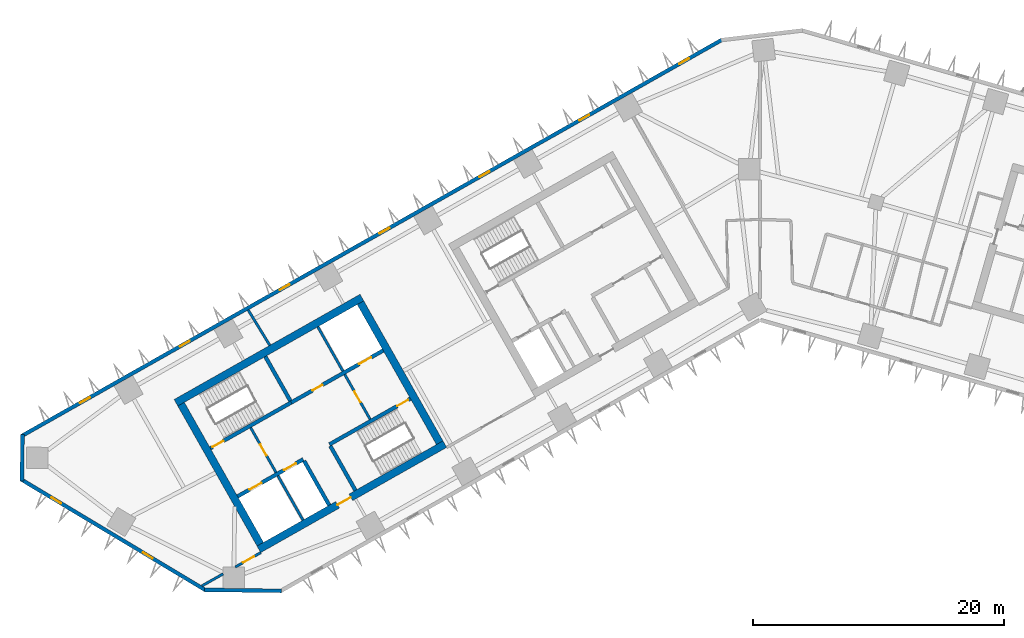
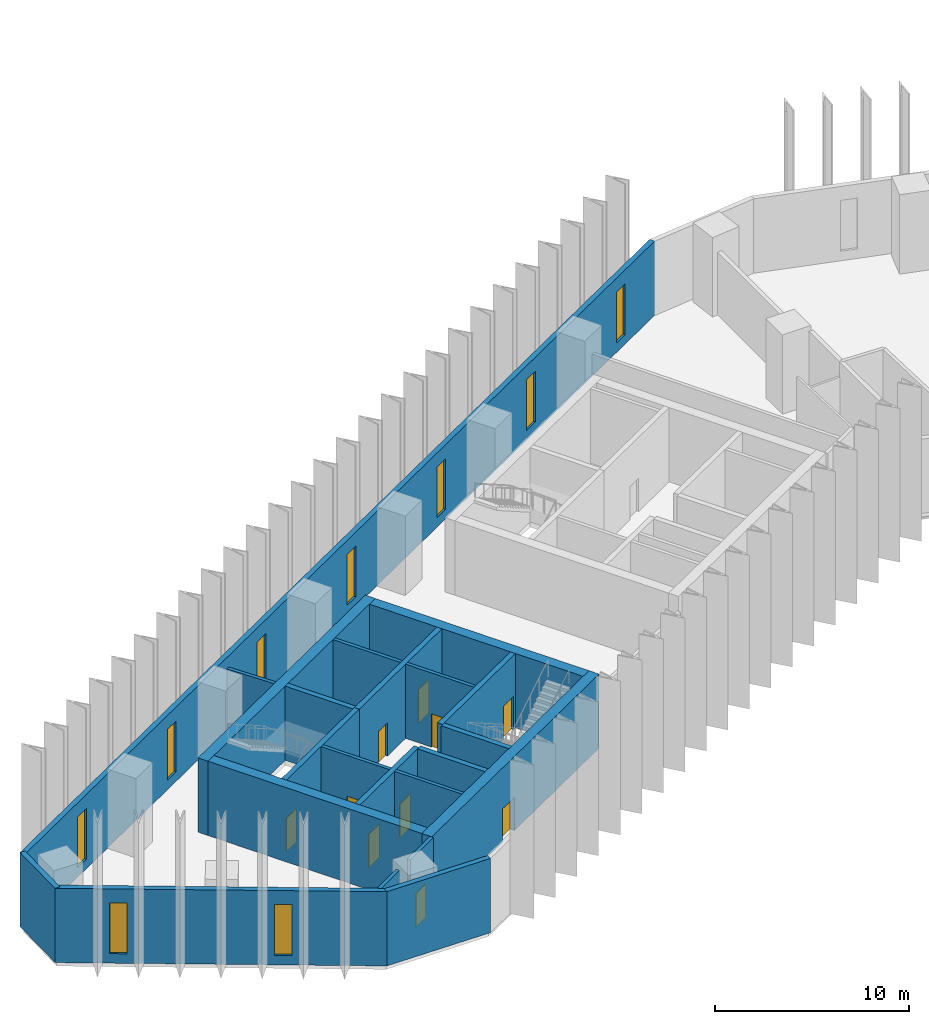
# One storey, part 3 of 11: 22 walls, 10 doors, 9 windows, 19 openings.
"""IFC4 building model written with IfcOpenShell, lengths in metres."""

import ifcopenshell
import ifcopenshell.guid

model = None  # the IFC model being written
_history = None  # IfcOwnerHistory: only IFC2X3 demands one
_inside = {}  # id of a spatial element -> (the spatial element, [elements in it])
_under = {}  # id of a project, library or spatial element -> (it, [spatial elements below it])
_declared = {}  # id of a project -> (the project, [libraries it declares])
_typed = {}  # id of a type object -> (the type object, [elements of that type])
_made_of = {}  # id of a material, layer set ... -> (it, [elements and type objects made of it])


def new_model(schema):
    """Start an empty IFC model of exactly this schema.

    Asked for "IFC4X3", IfcOpenShell would pick the latest addendum, in which some entities
    have other attributes; the version numbers below select the first issue.
    IFC2X3 requires an IfcOwnerHistory on every rooted entity: one is made here for all.
    """
    global model, _history
    if schema == "IFC4X3":
        model = ifcopenshell.file(schema_version=(4, 3, 0, 0))
    else:
        model = ifcopenshell.file(schema=schema)
    _inside.clear()
    _under.clear()
    _declared.clear()
    _typed.clear()
    _made_of.clear()
    _history = None
    if model.schema == "IFC2X3":
        org = make("IfcOrganization", Name="unknown")
        user = make(
            "IfcPersonAndOrganization",
            ThePerson=make("IfcPerson", FamilyName="unknown"),
            TheOrganization=org,
        )
        app = make(
            "IfcApplication",
            ApplicationDeveloper=org,
            Version="unknown",
            ApplicationFullName="unknown",
            ApplicationIdentifier="unknown",
        )
        _history = make(
            "IfcOwnerHistory",
            OwningUser=user,
            OwningApplication=app,
            ChangeAction="ADDED",
            CreationDate=0,
        )
    return model


def make(cls, **values):
    """One entity of the class cls with the attributes given. An attribute that is None is left unset."""
    return model.create_entity(
        cls, **{name: value for name, value in values.items() if value is not None}
    )


def rooted(cls, **values):
    """An entity with a GlobalId (a new one), such as an element, a storey or a relation."""
    return make(cls, GlobalId=ifcopenshell.guid.new(), OwnerHistory=_history, **values)


def si_unit(unit_type, name, prefix=None):
    """IfcSIUnit, for example si_unit("LENGTHUNIT", "METRE", prefix="MILLI")."""
    return make("IfcSIUnit", UnitType=unit_type, Prefix=prefix, Name=name)


def assignment(units):
    """IfcUnitAssignment: the units of a project."""
    return None if units is None else make("IfcUnitAssignment", Units=units)


def point(xyz):
    """IfcCartesianPoint."""
    return None if xyz is None else make("IfcCartesianPoint", Coordinates=xyz)


def direction(xyz):
    """IfcDirection."""
    return None if xyz is None else make("IfcDirection", DirectionRatios=xyz)


def frame(location, z_axis=None, x_axis=None):
    """IfcAxis2Placement3D, a coordinate frame: its origin and axes. An axis left out is left unset."""
    return make(
        "IfcAxis2Placement3D",
        Location=point(location),
        Axis=direction(z_axis),
        RefDirection=direction(x_axis),
    )


def frame_2d(location, x_axis=None):
    """IfcAxis2Placement2D, a coordinate frame in the plane: its origin and x axis."""
    return make(
        "IfcAxis2Placement2D", Location=point(location), RefDirection=direction(x_axis)
    )


def origin():
    """The frame at (0, 0, 0) with its axes left unset."""
    return frame((0.0, 0.0, 0.0))


def place(relative_to, where):
    """IfcLocalPlacement: puts the frame where relative to a parent placement (None: the world)."""
    return make(
        "IfcLocalPlacement", PlacementRelTo=relative_to, RelativePlacement=where
    )


def context(
    kind, dimensions, precision=None, world=None, true_north=None, identifier=None
):
    """IfcGeometricRepresentationContext, for example the 3D "Model" context."""
    return make(
        "IfcGeometricRepresentationContext",
        ContextIdentifier=identifier,
        ContextType=kind,
        CoordinateSpaceDimension=dimensions,
        Precision=precision,
        WorldCoordinateSystem=world,
        TrueNorth=true_north,
    )


def subcontext(parent, identifier, kind, view, scale=None):
    """IfcGeometricRepresentationSubContext, for example "Body" below "Model"."""
    return make(
        "IfcGeometricRepresentationSubContext",
        ContextIdentifier=identifier,
        ContextType=kind,
        ParentContext=parent,
        TargetScale=scale,
        TargetView=view,
    )


def project(units=None, contexts=None):
    """IfcProject with its units and contexts."""
    return rooted(
        "IfcProject",
        Name="project",
        RepresentationContexts=contexts,
        UnitsInContext=assignment(units),
    )


def spatial(cls, under=None, at=None, **own):
    """A site, building, storey or space (cls), placed at a placement, below another one or the project."""
    s = rooted(cls, ObjectPlacement=at, **own)
    if under is not None:
        _under.setdefault(under.id(), (under, []))[1].append(s)
    return s


def profile(cls, at=None, kind="AREA", **sizes):
    """A parametric profile (cls). Its sizes go by their IFC names, for example OverallWidth=200.0."""
    return make(cls, ProfileType=kind, Position=at, **sizes)


def rectangle(**sizes):
    """IfcRectangleProfileDef."""
    return profile("IfcRectangleProfileDef", **sizes)


def extrude(swept, where, along, depth):
    """IfcExtrudedAreaSolid: the profile swept, set in the frame where, extruded along a direction by depth."""
    return make(
        "IfcExtrudedAreaSolid",
        SweptArea=swept,
        Position=where,
        ExtrudedDirection=direction(along),
        Depth=depth,
    )


def shape(context_of_items, identifier, shape_type, items):
    """IfcShapeRepresentation: the items that make up one representation, for example the "Body"."""
    return make(
        "IfcShapeRepresentation",
        ContextOfItems=context_of_items,
        RepresentationIdentifier=identifier,
        RepresentationType=shape_type,
        Items=items,
    )


def material(Name=None, Category=None):
    """IfcMaterial."""
    return make("IfcMaterial", Name=Name, Category=Category)


def layer(
    of_material, thickness, ventilated=None, Name=None, Category=None, Priority=None
):
    """IfcMaterialLayer: one layer of a wall or slab, of a material (None: an air gap)."""
    return make(
        "IfcMaterialLayer",
        Material=of_material,
        LayerThickness=thickness,
        IsVentilated=ventilated,
        Name=Name,
        Category=Category,
        Priority=Priority,
    )


def layer_set(layers, Name=None):
    """IfcMaterialLayerSet."""
    return make("IfcMaterialLayerSet", MaterialLayers=layers, LayerSetName=Name)


def made_of(thing, what):
    """Note that an element or type object is made of a material, layer set ...; save() writes the relation."""
    if what is not None:
        _made_of.setdefault(what.id(), (what, []))[1].append(thing)
    return thing


def type_object(cls, material=None, **own):
    """A type object (cls), such as IfcWallType, which elements share."""
    return made_of(rooted(cls, **own), material)


def element(
    cls,
    number,
    at=None,
    inside=None,
    cuts=None,
    type_object=None,
    material=None,
    context=None,
    identifier="Body",
    shape_type=None,
    held_by="IfcProductDefinitionShape",
    body=None,
    shapes=None,
    **own,
):
    """One element of the class cls, such as IfcWall. Its Tag is "e" and its number.

    at: its placement. inside: the storey or other place that contains it. cuts: it is an
    opening in that element (IfcRelVoidsElement). A single representation is given by context,
    identifier, shape_type and body (its items); several are given by shapes. held_by: the class
    of the entity that holds the representations. save() writes the other relations.
    """
    e = rooted(cls, Tag="e%d" % number, ObjectPlacement=at, **own)
    if body is not None:
        shapes = [shape(context, identifier, shape_type, body)]
    if shapes is not None:
        e.Representation = make(held_by, Representations=shapes)
    if inside is not None:
        _inside.setdefault(inside.id(), (inside, []))[1].append(e)
    if cuts is not None:
        rooted(
            "IfcRelVoidsElement", RelatingBuildingElement=cuts, RelatedOpeningElement=e
        )
    if type_object is not None:
        _typed.setdefault(type_object.id(), (type_object, []))[1].append(e)
    return made_of(e, material)


def fill(opening, filler):
    """IfcRelFillsElement: the door or window that sits in an opening."""
    return rooted(
        "IfcRelFillsElement",
        RelatingOpeningElement=opening,
        RelatedBuildingElement=filler,
    )


def aggregate(whole, parts):
    """IfcRelAggregates: a whole, such as a stair, and the parts it consists of."""
    return rooted("IfcRelAggregates", RelatingObject=whole, RelatedObjects=parts)


def save(model, path):
    """Write the relations noted so far, then the file.

    IfcRelAggregates (storeys below a building ...), IfcRelContainedInSpatialStructure (elements
    in a storey), IfcRelDefinesByType, IfcRelAssociatesMaterial and IfcRelDeclares: one each for
    every whole, place, type object, material and project.
    """
    for whole, parts in _under.values():
        aggregate(whole, parts)
    for where, things in _inside.values():
        rooted(
            "IfcRelContainedInSpatialStructure",
            RelatedElements=things,
            RelatingStructure=where,
        )
    for kind, things in _typed.values():
        rooted("IfcRelDefinesByType", RelatedObjects=things, RelatingType=kind)
    for what, things in _made_of.values():
        rooted("IfcRelAssociatesMaterial", RelatedObjects=things, RelatingMaterial=what)
    for by, libraries in _declared.values():
        rooted("IfcRelDeclares", RelatingContext=by, RelatedDefinitions=libraries)
    model.write(path)


model = new_model("IFC4")

# Units and contexts
model_context = context("Model", 3, precision=1e-05, world=origin(), true_north=direction((0.0, 1.0)))
body_context = subcontext(model_context, "Body", "Model", "MODEL_VIEW")
ifc_project = project(units=[si_unit("LENGTHUNIT", "METRE"), si_unit("AREAUNIT", "SQUARE_METRE"), si_unit("VOLUMEUNIT", "CUBIC_METRE"), si_unit("PLANEANGLEUNIT", "RADIAN"), si_unit("MASSUNIT", "GRAM", prefix="KILO")], contexts=[model_context])

# Site, building, storey
site_placement = place(None, origin())
site = spatial("IfcSite", under=ifc_project, at=site_placement, CompositionType="ELEMENT")
building_placement = place(site_placement, origin())
building = spatial("IfcBuilding", under=site, at=building_placement, Name="Binnacle Exchange Tower", CompositionType="ELEMENT")
storey_placement = place(building_placement, frame((0.0, 0.0, 66.5)))
storey = spatial("IfcBuildingStorey", under=building, at=storey_placement, Name="L13", CompositionType="ELEMENT", Elevation=66.5)

# Wall, openings, doors
ifc_material_1 = material(Name="Concrete C70/85", Category="concrete")
ifc_layer_1 = layer(ifc_material_1, 0.300048828125)
ifc_layer_set_1 = layer_set([ifc_layer_1], Name="Core wall - front 300")
wall_type_1 = type_object("IfcWallType", Name="Core wall - front 300", PredefinedType="SOLIDWALL", material=ifc_layer_set_1)
wall_1_placement = place(storey_placement, frame((-41.555908203125, 33.9609375, 0.0), z_axis=(0.0, 0.0, 1.0), x_axis=(0.870343731308, 0.492444706919, 0.0)))
wall_1 = element("IfcWall", 1, at=wall_1_placement, inside=storey, type_object=wall_type_1, Name="Core wall CRWA2", PredefinedType="SOLIDWALL", context=body_context, shape_type="SweptSolid", body=[
    extrude(rectangle(XDim=5.999755859375, YDim=0.300048828125, at=frame_2d((3.0, 0.0))), origin(), (0.0, 0.0, 1.0), 4.679931640625),
])
opening_1_placement = place(wall_1_placement, frame((1.099853515625, 0.0, 0.0)))
opening_1 = element("IfcOpeningElement", 2, at=opening_1_placement, cuts=wall_1, Name="Opening LD12", PredefinedType="OPENING", context=body_context, shape_type="SweptSolid", body=[
    extrude(rectangle(XDim=1.10009765625, YDim=2.10009765625, at=frame_2d((0.550048828125, 1.050048828125))), frame((0.0, 0.159912109375, 0.0), z_axis=(0.0, -1.0, 0.0), x_axis=(1.0, 0.0, 0.0)), (0.0, 0.0, 1.0), 0.320068359375),
])
opening_2_placement = place(wall_1_placement, frame((4.25, 0.0, 0.0)))
opening_2 = element("IfcOpeningElement", 3, at=opening_2_placement, cuts=wall_1, Name="Opening LD8", PredefinedType="OPENING", context=body_context, shape_type="SweptSolid", body=[
    extrude(rectangle(XDim=1.10009765625, YDim=2.10009765625, at=frame_2d((0.550048828125, 1.050048828125))), frame((0.0, 0.159912109375, 0.0), z_axis=(0.0, -1.0, 0.0), x_axis=(1.0, 0.0, 0.0)), (0.0, 0.0, 1.0), 0.320068359375),
])
ifc_material_2 = material(Name="Steel door leaf", Category="steel")
door_type_1 = type_object("IfcDoorType", Name="Fire door - lift landing 1100", OperationType="NOTDEFINED", PredefinedType="DOOR", material=ifc_material_2)
door_1_placement = place(opening_1_placement, origin())
door_1 = element("IfcDoor", 4, at=door_1_placement, inside=storey, type_object=door_type_1, Name="Landing door LD12 L13", OperationType="DOUBLE_DOOR_SLIDING", OverallHeight=2.10009765625, OverallWidth=1.10009765625, PredefinedType="DOOR", context=body_context, shape_type="SweptSolid", body=[
    extrude(rectangle(XDim=1.10009765625, YDim=2.10009765625, at=frame_2d((0.550048828125, 1.050048828125))), frame((0.0, 0.02490234375, 0.0), z_axis=(0.0, -1.0, 0.0), x_axis=(1.0, 0.0, 0.0)), (0.0, 0.0, 1.0), 0.050048828125),
])
fill(opening_1, door_1)
door_2_placement = place(opening_2_placement, origin())
door_2 = element("IfcDoor", 5, at=door_2_placement, inside=storey, type_object=door_type_1, Name="Landing door LD8 L13", OperationType="DOUBLE_DOOR_SLIDING", OverallHeight=2.10009765625, OverallWidth=1.10009765625, PredefinedType="DOOR", context=body_context, shape_type="SweptSolid", body=[
    extrude(rectangle(XDim=1.10009765625, YDim=2.10009765625, at=frame_2d((0.550048828125, 1.050048828125))), frame((0.0, 0.02490234375, 0.0), z_axis=(0.0, -1.0, 0.0), x_axis=(1.0, 0.0, 0.0)), (0.0, 0.0, 1.0), 0.050048828125),
])
fill(opening_2, door_2)

wall_2_placement = place(storey_placement, frame((-37.281982421875, 41.4345703125, 0.0), z_axis=(0.0, 0.0, 1.0), x_axis=(0.870356516133, 0.492422110414, 0.0)))
wall_2 = element("IfcWall", 6, at=wall_2_placement, inside=storey, type_object=wall_type_1, Name="Core wall CRWA5", PredefinedType="SOLIDWALL", context=body_context, shape_type="SweptSolid", body=[
    extrude(rectangle(XDim=8.399658203125, YDim=0.300048828125, at=frame_2d((4.19970703125, 0.0))), origin(), (0.0, 0.0, 1.0), 4.679931640625),
])
opening_3_placement = place(wall_2_placement, frame((6.199951171875, 0.0, 0.0)))
opening_3 = element("IfcOpeningElement", 7, at=opening_3_placement, cuts=wall_2, Name="Opening LD13", PredefinedType="OPENING", context=body_context, shape_type="SweptSolid", body=[
    extrude(rectangle(XDim=1.10009765625, YDim=2.10009765625, at=frame_2d((0.550048828125, 1.050048828125))), frame((0.0, 0.159912109375, 0.0), z_axis=(0.0, -1.0, 0.0), x_axis=(1.0, 0.0, 0.0)), (0.0, 0.0, 1.0), 0.320068359375),
])
opening_4_placement = place(wall_2_placement, frame((1.949951171875, 0.0, 0.0)))
opening_4 = element("IfcOpeningElement", 8, at=opening_4_placement, cuts=wall_2, Name="Opening DA10", PredefinedType="OPENING", context=body_context, shape_type="SweptSolid", body=[
    extrude(rectangle(XDim=0.89990234375, YDim=2.10009765625, at=frame_2d((0.449951171875, 1.050048828125))), frame((0.0, 0.159912109375, 0.0), z_axis=(0.0, -1.0, 0.0), x_axis=(1.0, 0.0, 0.0)), (0.0, 0.0, 1.0), 0.320068359375),
])
door_3_placement = place(opening_3_placement, origin())
door_3 = element("IfcDoor", 9, at=door_3_placement, inside=storey, type_object=door_type_1, Name="Landing door LD13 L13", OperationType="DOUBLE_DOOR_SLIDING", OverallHeight=2.10009765625, OverallWidth=1.10009765625, PredefinedType="DOOR", context=body_context, shape_type="SweptSolid", body=[
    extrude(rectangle(XDim=1.10009765625, YDim=2.10009765625, at=frame_2d((0.550048828125, 1.050048828125))), frame((0.0, 0.02490234375, 0.0), z_axis=(0.0, -1.0, 0.0), x_axis=(1.0, 0.0, 0.0)), (0.0, 0.0, 1.0), 0.050048828125),
])
fill(opening_3, door_3)
door_type_2 = type_object("IfcDoorType", Name="Fire door 900", OperationType="NOTDEFINED", PredefinedType="DOOR", material=ifc_material_2)
door_4_placement = place(opening_4_placement, origin())
door_4 = element("IfcDoor", 10, at=door_4_placement, inside=storey, type_object=door_type_2, Name="Core room door TELECOM RISER ROOM", OperationType="SINGLE_SWING_LEFT", OverallHeight=2.10009765625, OverallWidth=0.89990234375, PredefinedType="DOOR", context=body_context, shape_type="SweptSolid", body=[
    extrude(rectangle(XDim=0.89990234375, YDim=2.10009765625, at=frame_2d((0.449951171875, 1.050048828125))), frame((0.0, 0.02490234375, 0.0), z_axis=(0.0, -1.0, 0.0), x_axis=(1.0, 0.0, 0.0)), (0.0, 0.0, 1.0), 0.050048828125),
])
fill(opening_4, door_4)

# Wall
wall_3_placement = place(storey_placement, frame((-36.260009765625, 36.784912109375, 0.0), z_axis=(0.0, 0.0, 1.0), x_axis=(0.492440575896, -0.870346068648, 0.0)))
element("IfcWall", 11, at=wall_3_placement, inside=storey, type_object=wall_type_1, Name="Core wall CRWA13", PredefinedType="SOLIDWALL", context=body_context, shape_type="SweptSolid", body=[
    extrude(rectangle(XDim=4.050048828125, YDim=0.300048828125, at=frame_2d((2.02490234375, 0.0))), origin(), (0.0, 0.0, 1.0), 4.679931640625),
])

# Wall, opening, door
ifc_layer_2 = layer(ifc_material_1, 0.60009765625)
ifc_layer_set_2 = layer_set([ifc_layer_2], Name="Core wall - outer 600")
wall_type_2 = type_object("IfcWallType", Name="Core wall - outer 600", PredefinedType="SOLIDWALL", material=ifc_layer_set_2)
wall_4_placement = place(storey_placement, frame((-39.8623046875, 29.748779296875, 0.0), z_axis=(0.0, 0.0, 1.0), x_axis=(0.870350116061, 0.492433422375, 0.0)))
wall_4 = element("IfcWall", 12, at=wall_4_placement, inside=storey, type_object=wall_type_2, Name="Core wall CRWA1", PredefinedType="SOLIDWALL", context=body_context, shape_type="SweptSolid", body=[
    extrude(rectangle(XDim=17.0, YDim=0.60009765625, at=frame_2d((8.5, 0.0))), origin(), (0.0, 0.0, 1.0), 4.679931640625),
])
opening_5_placement = place(wall_4_placement, frame((7.199951171875, 0.0, 0.0)))
opening_5 = element("IfcOpeningElement", 13, at=opening_5_placement, cuts=wall_4, Name="Opening DA7", PredefinedType="OPENING", context=body_context, shape_type="SweptSolid", body=[
    extrude(rectangle(XDim=1.199951171875, YDim=2.10009765625, at=frame_2d((0.60009765625, 1.050048828125))), frame((0.0, 0.31005859375, 0.0), z_axis=(0.0, -1.0, 0.0), x_axis=(1.0, 0.0, 0.0)), (0.0, 0.0, 1.0), 0.6201171875),
])
door_type_3 = type_object("IfcDoorType", Name="Fire door 1200", OperationType="NOTDEFINED", PredefinedType="DOOR", material=ifc_material_2)
door_5_placement = place(opening_5_placement, frame((1.199951171875, 0.0, 0.0), z_axis=(0.0, 0.0, 1.0), x_axis=(-1.0, 0.0, 0.0)))
door_5 = element("IfcDoor", 14, at=door_5_placement, inside=storey, type_object=door_type_3, Name="Lift lobby entrance door core A", OperationType="SINGLE_SWING_RIGHT", OverallHeight=2.10009765625, OverallWidth=1.199951171875, PredefinedType="DOOR", context=body_context, shape_type="SweptSolid", body=[
    extrude(rectangle(XDim=1.199951171875, YDim=2.10009765625, at=frame_2d((0.60009765625, 1.050048828125))), frame((0.0, 0.02490234375, 0.0), z_axis=(0.0, -1.0, 0.0), x_axis=(1.0, 0.0, 0.0)), (0.0, 0.0, 1.0), 0.050048828125),
])
fill(opening_5, door_5)

# Walls
wall_5_placement = place(storey_placement, frame((-46.460693359375, 41.41162109375, 0.0), z_axis=(0.0, 0.0, 1.0), x_axis=(0.870350116061, 0.492433422375, 0.0)))
element("IfcWall", 15, at=wall_5_placement, inside=storey, type_object=wall_type_2, Name="Core wall CRWA6", PredefinedType="SOLIDWALL", context=body_context, shape_type="SweptSolid", body=[
    extrude(rectangle(XDim=17.0, YDim=0.60009765625, at=frame_2d((8.5, 0.0))), origin(), (0.0, 0.0, 1.0), 4.679931640625),
])
for number, where, z_axis, x_axis, name in (
    (16, (-46.052001953125, 41.29833984375, 0.0), (0.0, 0.0, 1.0), (0.492418598281, -0.870358503186, 0.0), "Core wall CRWA7"),
    (17, (-31.7783203125, 49.3740234375, 0.0), (0.0, 0.0, 1.0), (0.492433046652, -0.870350328641, 0.0), "Core wall CRWA22"),
):
    element("IfcWall", number, at=place(storey_placement, frame(where, z_axis=z_axis, x_axis=x_axis)), inside=storey, type_object=wall_type_2, Name=name, PredefinedType="SOLIDWALL", context=body_context, shape_type="SweptSolid", body=[
        extrude(rectangle(XDim=12.800048828125, YDim=0.60009765625, at=frame_2d((6.39990234375, 0.0))), origin(), (0.0, 0.0, 1.0), 4.679931640625),
    ])

# Wall, opening, door
ifc_layer_3 = layer(ifc_material_1, 0.300048828125)
ifc_layer_set_3 = layer_set([ifc_layer_3], Name="Core wall - stair 300")
wall_type_3 = type_object("IfcWallType", Name="Core wall - stair 300", PredefinedType="SOLIDWALL", material=ifc_layer_set_3)
wall_6_placement = place(storey_placement, frame((-34.2451171875, 38.097412109375, 0.0), z_axis=(0.0, 0.0, 1.0), x_axis=(0.870364910201, 0.492407273597, 0.0)))
wall_6 = element("IfcWall", 18, at=wall_6_placement, inside=storey, type_object=wall_type_3, Name="Core wall CRWA3", PredefinedType="SOLIDWALL", context=body_context, shape_type="SweptSolid", body=[
    extrude(rectangle(XDim=7.39990234375, YDim=0.300048828125, at=frame_2d((3.699951171875, 0.0))), origin(), (0.0, 0.0, 1.0), 4.679931640625),
])
opening_6_placement = place(wall_6_placement, frame((6.199951171875, 0.0, 0.0)))
opening_6 = element("IfcOpeningElement", 19, at=opening_6_placement, cuts=wall_6, Name="Opening DA2", PredefinedType="OPENING", context=body_context, shape_type="SweptSolid", body=[
    extrude(rectangle(XDim=1.0, YDim=2.10009765625, at=frame_2d((0.5, 1.050048828125))), frame((0.0, 0.159912109375, 0.0), z_axis=(0.0, -1.0, 0.0), x_axis=(1.0, 0.0, 0.0)), (0.0, 0.0, 1.0), 0.320068359375),
])
door_type_4 = type_object("IfcDoorType", Name="Fire door 1000", OperationType="NOTDEFINED", PredefinedType="DOOR", material=ifc_material_2)
door_6_placement = place(opening_6_placement, frame((1.0, 0.0, 0.0), z_axis=(0.0, 0.0, 1.0), x_axis=(-1.0, 0.0, 0.0)))
door_6 = element("IfcDoor", 20, at=door_6_placement, inside=storey, type_object=door_type_4, Name="Stair door ST-A2", OperationType="SINGLE_SWING_LEFT", OverallHeight=2.10009765625, OverallWidth=1.0, PredefinedType="DOOR", context=body_context, shape_type="SweptSolid", body=[
    extrude(rectangle(XDim=1.0, YDim=2.10009765625, at=frame_2d((0.5, 1.050048828125))), frame((0.0, 0.02490234375, 0.0), z_axis=(0.0, -1.0, 0.0), x_axis=(1.0, 0.0, 0.0)), (0.0, 0.0, 1.0), 0.050048828125),
])
fill(opening_6, door_6)

wall_7_placement = place(storey_placement, frame((-43.72265625, 37.79052734375, 0.0), z_axis=(0.0, 0.0, 1.0), x_axis=(0.87035077051, 0.49243226567, 0.0)))
wall_7 = element("IfcWall", 21, at=wall_7_placement, inside=storey, type_object=wall_type_3, Name="Core wall CRWA4", PredefinedType="SOLIDWALL", context=body_context, shape_type="SweptSolid", body=[
    extrude(rectangle(XDim=7.400146484375, YDim=0.300048828125, at=frame_2d((3.7001953125, 0.0))), origin(), (0.0, 0.0, 1.0), 4.679931640625),
])
opening_7_placement = place(wall_7_placement, frame((0.199951171875, 0.0, 0.0)))
opening_7 = element("IfcOpeningElement", 22, at=opening_7_placement, cuts=wall_7, Name="Opening DA1", PredefinedType="OPENING", context=body_context, shape_type="SweptSolid", body=[
    extrude(rectangle(XDim=1.0, YDim=2.10009765625, at=frame_2d((0.5, 1.050048828125))), frame((0.0, 0.159912109375, 0.0), z_axis=(0.0, -1.0, 0.0), x_axis=(1.0, 0.0, 0.0)), (0.0, 0.0, 1.0), 0.320068359375),
])
door_7_placement = place(opening_7_placement, origin())
door_7 = element("IfcDoor", 23, at=door_7_placement, inside=storey, type_object=door_type_4, Name="Stair door ST-A1", OperationType="SINGLE_SWING_LEFT", OverallHeight=2.10009765625, OverallWidth=1.0, PredefinedType="DOOR", context=body_context, shape_type="SweptSolid", body=[
    extrude(rectangle(XDim=1.0, YDim=2.10009765625, at=frame_2d((0.5, 1.050048828125))), frame((0.0, 0.02490234375, 0.0), z_axis=(0.0, -1.0, 0.0), x_axis=(1.0, 0.0, 0.0)), (0.0, 0.0, 1.0), 0.050048828125),
])
fill(opening_7, door_7)

# Walls
wall_8_placement = place(storey_placement, frame((-39.350341796875, 45.090087890625, 0.0), z_axis=(0.0, 0.0, 1.0), x_axis=(0.49241474071, -0.870360685654, 0.0)))
element("IfcWall", 24, at=wall_8_placement, inside=storey, type_object=wall_type_3, Name="Core wall CRWA14", PredefinedType="SOLIDWALL", context=body_context, shape_type="SweptSolid", body=[
    extrude(rectangle(XDim=4.05029296875, YDim=0.300048828125, at=frame_2d((2.025146484375, 0.0))), origin(), (0.0, 0.0, 1.0), 4.679931640625),
])
wall_9_placement = place(storey_placement, frame((-34.171142578125, 37.966796875, 0.0), z_axis=(0.0, 0.0, 1.0), x_axis=(0.492394910396, -0.870371904542, 0.0)))
element("IfcWall", 25, at=wall_9_placement, inside=storey, type_object=wall_type_3, Name="Core wall CRWA16", PredefinedType="SOLIDWALL", context=body_context, shape_type="SweptSolid", body=[
    extrude(rectangle(XDim=4.0498046875, YDim=0.300048828125, at=frame_2d((2.02490234375, 0.0))), origin(), (0.0, 0.0, 1.0), 4.679931640625),
])

# Wall, openings, windows
ifc_material_3 = material(Name="Bronze aluminium cladding", Category="aluminium")
ifc_layer_4 = layer(ifc_material_3, 0.300048828125)
ifc_layer_set_4 = layer_set([ifc_layer_4], Name="External wall - spandrel 300")
wall_type_4 = type_object("IfcWallType", Name="External wall - spandrel 300", PredefinedType="STANDARD", material=ifc_layer_set_4)
wall_10_placement = place(storey_placement, frame((-58.744873046875, 38.763671875, 0.0), z_axis=(0.0, 0.0, 1.0), x_axis=(0.870355811726, 0.492423355453, 0.0)))
wall_10 = element("IfcWall", 26, at=wall_10_placement, inside=storey, type_object=wall_type_4, Name="External wall EW-F03 L13", PredefinedType="STANDARD", context=body_context, shape_type="SweptSolid", body=[
    extrude(rectangle(XDim=64.025390625, YDim=0.300048828125, at=frame_2d((32.0126953125, 0.0))), origin(), (0.0, 0.0, 1.0), 4.679931640625),
])
opening_8_placement = place(wall_10_placement, frame((60.12158203125, 0.0, 0.60009765625)))
opening_8 = element("IfcOpeningElement", 27, at=opening_8_placement, cuts=wall_10, Name="Opening WS1", PredefinedType="OPENING", context=body_context, shape_type="SweptSolid", body=[
    extrude(rectangle(XDim=0.89990234375, YDim=3.199951171875, at=frame_2d((0.449951171875, 1.60009765625))), frame((0.0, 0.159912109375, 0.0), z_axis=(0.0, -1.0, 0.0), x_axis=(1.0, 0.0, 0.0)), (0.0, 0.0, 1.0), 0.320068359375),
])
opening_9_placement = place(wall_10_placement, frame((50.99169921875, 0.0, 0.60009765625)))
opening_9 = element("IfcOpeningElement", 28, at=opening_9_placement, cuts=wall_10, Name="Opening WS1", PredefinedType="OPENING", context=body_context, shape_type="SweptSolid", body=[
    extrude(rectangle(XDim=0.89990234375, YDim=3.199951171875, at=frame_2d((0.449951171875, 1.60009765625))), frame((0.0, 0.159912109375, 0.0), z_axis=(0.0, -1.0, 0.0), x_axis=(1.0, 0.0, 0.0)), (0.0, 0.0, 1.0), 0.320068359375),
])
opening_10_placement = place(wall_10_placement, frame((41.86181640625, 0.0, 0.60009765625)))
opening_10 = element("IfcOpeningElement", 29, at=opening_10_placement, cuts=wall_10, Name="Opening WS1", PredefinedType="OPENING", context=body_context, shape_type="SweptSolid", body=[
    extrude(rectangle(XDim=0.89990234375, YDim=3.199951171875, at=frame_2d((0.449951171875, 1.60009765625))), frame((0.0, 0.159912109375, 0.0), z_axis=(0.0, -1.0, 0.0), x_axis=(1.0, 0.0, 0.0)), (0.0, 0.0, 1.0), 0.320068359375),
])
opening_11_placement = place(wall_10_placement, frame((32.73193359375, 0.0, 0.60009765625)))
opening_11 = element("IfcOpeningElement", 30, at=opening_11_placement, cuts=wall_10, Name="Opening WS1", PredefinedType="OPENING", context=body_context, shape_type="SweptSolid", body=[
    extrude(rectangle(XDim=0.89990234375, YDim=3.199951171875, at=frame_2d((0.449951171875, 1.60009765625))), frame((0.0, 0.159912109375, 0.0), z_axis=(0.0, -1.0, 0.0), x_axis=(1.0, 0.0, 0.0)), (0.0, 0.0, 1.0), 0.320068359375),
])
opening_12_placement = place(wall_10_placement, frame((23.60205078125, 0.0, 0.60009765625)))
opening_12 = element("IfcOpeningElement", 31, at=opening_12_placement, cuts=wall_10, Name="Opening WS1", PredefinedType="OPENING", context=body_context, shape_type="SweptSolid", body=[
    extrude(rectangle(XDim=0.89990234375, YDim=3.199951171875, at=frame_2d((0.449951171875, 1.60009765625))), frame((0.0, 0.159912109375, 0.0), z_axis=(0.0, -1.0, 0.0), x_axis=(1.0, 0.0, 0.0)), (0.0, 0.0, 1.0), 0.320068359375),
])
opening_13_placement = place(wall_10_placement, frame((14.47216796875, 0.0, 0.60009765625)))
opening_13 = element("IfcOpeningElement", 32, at=opening_13_placement, cuts=wall_10, Name="Opening WS1", PredefinedType="OPENING", context=body_context, shape_type="SweptSolid", body=[
    extrude(rectangle(XDim=0.89990234375, YDim=3.199951171875, at=frame_2d((0.449951171875, 1.60009765625))), frame((0.0, 0.159912109375, 0.0), z_axis=(0.0, -1.0, 0.0), x_axis=(1.0, 0.0, 0.0)), (0.0, 0.0, 1.0), 0.320068359375),
])
opening_14_placement = place(wall_10_placement, frame((5.34228515625, 0.0, 0.60009765625)))
opening_14 = element("IfcOpeningElement", 33, at=opening_14_placement, cuts=wall_10, Name="Opening WS1", PredefinedType="OPENING", context=body_context, shape_type="SweptSolid", body=[
    extrude(rectangle(XDim=0.89990234375, YDim=3.199951171875, at=frame_2d((0.449951171875, 1.60009765625))), frame((0.0, 0.159912109375, 0.0), z_axis=(0.0, -1.0, 0.0), x_axis=(1.0, 0.0, 0.0)), (0.0, 0.0, 1.0), 0.320068359375),
])
ifc_material_4 = material(Name="Bronze anodised aluminium frame", Category="aluminium")
window_type = type_object("IfcWindowType", Name="WS1 WINDOW 900x3200", PartitioningType="SINGLE_PANEL", PredefinedType="WINDOW", material=ifc_material_4)
window_1_placement = place(opening_8_placement, origin())
window_1 = element("IfcWindow", 34, at=window_1_placement, inside=storey, type_object=window_type, Name="Window WS1 L13", OverallHeight=3.199951171875, OverallWidth=0.89990234375, PartitioningType="SINGLE_PANEL", PredefinedType="WINDOW", context=body_context, shape_type="SweptSolid", body=[
    extrude(rectangle(XDim=0.89990234375, YDim=3.199951171875, at=frame_2d((0.449951171875, 1.60009765625))), frame((0.0, 0.030029296875, 0.0), z_axis=(0.0, -1.0, 0.0), x_axis=(1.0, 0.0, 0.0)), (0.0, 0.0, 1.0), 0.06005859375),
])
fill(opening_8, window_1)
window_2_placement = place(opening_9_placement, origin())
window_2 = element("IfcWindow", 35, at=window_2_placement, inside=storey, type_object=window_type, Name="Window WS1 L13", OverallHeight=3.199951171875, OverallWidth=0.89990234375, PartitioningType="SINGLE_PANEL", PredefinedType="WINDOW", context=body_context, shape_type="SweptSolid", body=[
    extrude(rectangle(XDim=0.89990234375, YDim=3.199951171875, at=frame_2d((0.449951171875, 1.60009765625))), frame((0.0, 0.030029296875, 0.0), z_axis=(0.0, -1.0, 0.0), x_axis=(1.0, 0.0, 0.0)), (0.0, 0.0, 1.0), 0.06005859375),
])
fill(opening_9, window_2)
window_3_placement = place(opening_10_placement, origin())
window_3 = element("IfcWindow", 36, at=window_3_placement, inside=storey, type_object=window_type, Name="Window WS1 L13", OverallHeight=3.199951171875, OverallWidth=0.89990234375, PartitioningType="SINGLE_PANEL", PredefinedType="WINDOW", context=body_context, shape_type="SweptSolid", body=[
    extrude(rectangle(XDim=0.89990234375, YDim=3.199951171875, at=frame_2d((0.449951171875, 1.60009765625))), frame((0.0, 0.030029296875, 0.0), z_axis=(0.0, -1.0, 0.0), x_axis=(1.0, 0.0, 0.0)), (0.0, 0.0, 1.0), 0.06005859375),
])
fill(opening_10, window_3)
window_4_placement = place(opening_11_placement, origin())
window_4 = element("IfcWindow", 37, at=window_4_placement, inside=storey, type_object=window_type, Name="Window WS1 L13", OverallHeight=3.199951171875, OverallWidth=0.89990234375, PartitioningType="SINGLE_PANEL", PredefinedType="WINDOW", context=body_context, shape_type="SweptSolid", body=[
    extrude(rectangle(XDim=0.89990234375, YDim=3.199951171875, at=frame_2d((0.449951171875, 1.60009765625))), frame((0.0, 0.030029296875, 0.0), z_axis=(0.0, -1.0, 0.0), x_axis=(1.0, 0.0, 0.0)), (0.0, 0.0, 1.0), 0.06005859375),
])
fill(opening_11, window_4)
window_5_placement = place(opening_12_placement, origin())
window_5 = element("IfcWindow", 38, at=window_5_placement, inside=storey, type_object=window_type, Name="Window WS1 L13", OverallHeight=3.199951171875, OverallWidth=0.89990234375, PartitioningType="SINGLE_PANEL", PredefinedType="WINDOW", context=body_context, shape_type="SweptSolid", body=[
    extrude(rectangle(XDim=0.89990234375, YDim=3.199951171875, at=frame_2d((0.449951171875, 1.60009765625))), frame((0.0, 0.030029296875, 0.0), z_axis=(0.0, -1.0, 0.0), x_axis=(1.0, 0.0, 0.0)), (0.0, 0.0, 1.0), 0.06005859375),
])
fill(opening_12, window_5)
window_6_placement = place(opening_13_placement, origin())
window_6 = element("IfcWindow", 39, at=window_6_placement, inside=storey, type_object=window_type, Name="Window WS1 L13", OverallHeight=3.199951171875, OverallWidth=0.89990234375, PartitioningType="SINGLE_PANEL", PredefinedType="WINDOW", context=body_context, shape_type="SweptSolid", body=[
    extrude(rectangle(XDim=0.89990234375, YDim=3.199951171875, at=frame_2d((0.449951171875, 1.60009765625))), frame((0.0, 0.030029296875, 0.0), z_axis=(0.0, -1.0, 0.0), x_axis=(1.0, 0.0, 0.0)), (0.0, 0.0, 1.0), 0.06005859375),
])
fill(opening_13, window_6)
window_7_placement = place(opening_14_placement, origin())
window_7 = element("IfcWindow", 40, at=window_7_placement, inside=storey, type_object=window_type, Name="Window WS1 L13", OverallHeight=3.199951171875, OverallWidth=0.89990234375, PartitioningType="SINGLE_PANEL", PredefinedType="WINDOW", context=body_context, shape_type="SweptSolid", body=[
    extrude(rectangle(XDim=0.89990234375, YDim=3.199951171875, at=frame_2d((0.449951171875, 1.60009765625))), frame((0.0, 0.030029296875, 0.0), z_axis=(0.0, -1.0, 0.0), x_axis=(1.0, 0.0, 0.0)), (0.0, 0.0, 1.0), 0.06005859375),
])
fill(opening_14, window_7)

# Wall
wall_11_placement = place(storey_placement, frame((-58.717041015625, 35.19384765625, 0.0), z_axis=(0.0, 0.0, 1.0), x_axis=(0.013069053407, 0.999914596275, 0.0)))
element("IfcWall", 41, at=wall_11_placement, inside=storey, type_object=wall_type_4, Name="External wall EW-F04 L13", PredefinedType="STANDARD", context=body_context, shape_type="SweptSolid", body=[
    extrude(rectangle(XDim=3.69873046875, YDim=0.300048828125, at=frame_2d((1.849365234375, 0.0))), origin(), (0.0, 0.0, 1.0), 4.679931640625),
])

# Wall, openings, windows
wall_12_placement = place(storey_placement, frame((-44.109375, 26.503662109375, 0.0), z_axis=(0.0, 0.0, 1.0), x_axis=(-0.857169502585, 0.515034410344, 0.0)))
wall_12 = element("IfcWall", 42, at=wall_12_placement, inside=storey, type_object=wall_type_4, Name="External wall EW-F05 L13", PredefinedType="STANDARD", context=body_context, shape_type="SweptSolid", body=[
    extrude(rectangle(XDim=17.126708984375, YDim=0.300048828125, at=frame_2d((8.5634765625, 0.0))), origin(), (0.0, 0.0, 1.0), 4.679931640625),
])
opening_15_placement = place(wall_12_placement, frame((13.403076171875, 0.0, 0.60009765625)))
opening_15 = element("IfcOpeningElement", 43, at=opening_15_placement, cuts=wall_12, Name="Opening WS1", PredefinedType="OPENING", context=body_context, shape_type="SweptSolid", body=[
    extrude(rectangle(XDim=0.89990234375, YDim=3.199951171875, at=frame_2d((0.449951171875, 1.60009765625))), frame((0.0, 0.159912109375, 0.0), z_axis=(0.0, -1.0, 0.0), x_axis=(1.0, 0.0, 0.0)), (0.0, 0.0, 1.0), 0.320068359375),
])
opening_16_placement = place(wall_12_placement, frame((4.903076171875, 0.0, 0.60009765625)))
opening_16 = element("IfcOpeningElement", 44, at=opening_16_placement, cuts=wall_12, Name="Opening WS1", PredefinedType="OPENING", context=body_context, shape_type="SweptSolid", body=[
    extrude(rectangle(XDim=0.89990234375, YDim=3.199951171875, at=frame_2d((0.449951171875, 1.60009765625))), frame((0.0, 0.159912109375, 0.0), z_axis=(0.0, -1.0, 0.0), x_axis=(1.0, 0.0, 0.0)), (0.0, 0.0, 1.0), 0.320068359375),
])
window_8_placement = place(opening_15_placement, origin())
window_8 = element("IfcWindow", 45, at=window_8_placement, inside=storey, type_object=window_type, Name="Window WS1 L13", OverallHeight=3.199951171875, OverallWidth=0.89990234375, PartitioningType="SINGLE_PANEL", PredefinedType="WINDOW", context=body_context, shape_type="SweptSolid", body=[
    extrude(rectangle(XDim=0.89990234375, YDim=3.199951171875, at=frame_2d((0.449951171875, 1.60009765625))), frame((0.0, 0.030029296875, 0.0), z_axis=(0.0, -1.0, 0.0), x_axis=(1.0, 0.0, 0.0)), (0.0, 0.0, 1.0), 0.06005859375),
])
fill(opening_15, window_8)
window_9_placement = place(opening_16_placement, origin())
window_9 = element("IfcWindow", 46, at=window_9_placement, inside=storey, type_object=window_type, Name="Window WS1 L13", OverallHeight=3.199951171875, OverallWidth=0.89990234375, PartitioningType="SINGLE_PANEL", PredefinedType="WINDOW", context=body_context, shape_type="SweptSolid", body=[
    extrude(rectangle(XDim=0.89990234375, YDim=3.199951171875, at=frame_2d((0.449951171875, 1.60009765625))), frame((0.0, 0.030029296875, 0.0), z_axis=(0.0, -1.0, 0.0), x_axis=(1.0, 0.0, 0.0)), (0.0, 0.0, 1.0), 0.06005859375),
])
fill(opening_16, window_9)

# Walls
wall_13_placement = place(storey_placement, frame((-38.057373046875, 26.44482421875, 0.0), z_axis=(0.0, 0.0, 1.0), x_axis=(-0.999914086342, 0.013108010296, 0.0)))
element("IfcWall", 47, at=wall_13_placement, inside=storey, type_object=wall_type_4, Name="External wall EW-F06 L13", PredefinedType="STANDARD", context=body_context, shape_type="SweptSolid", body=[
    extrude(rectangle(XDim=6.127685546875, YDim=0.300048828125, at=frame_2d((3.06396484375, 0.0))), origin(), (0.0, 0.0, 1.0), 4.679931640625),
])
ifc_material_5 = material(Name="Masonry block wall", Category="masonry")
ifc_layer_5 = layer(ifc_material_5, 0.199951171875)
ifc_layer_set_5 = layer_set([ifc_layer_5], Name="Fire wall - block 200")
wall_type_5 = type_object("IfcWallType", Name="Fire wall - block 200", PredefinedType="PARTITIONING", material=ifc_layer_set_5)
wall_14_placement = place(storey_placement, frame((-44.385986328125, 26.844970703125, 0.0), z_axis=(0.0, 0.0, 1.0), x_axis=(0.870226201187, 0.492652371118, 0.0)))
element("IfcWall", 48, at=wall_14_placement, inside=storey, type_object=wall_type_5, Name="Partition W01", PredefinedType="PARTITIONING", context=body_context, shape_type="SweptSolid", body=[
    extrude(rectangle(XDim=1.9326171875, YDim=0.199951171875, at=frame_2d((0.96630859375, 0.0))), origin(), (0.0, 0.0, 1.0), 4.679931640625),
])

# Wall, opening, door
wall_15_placement = place(storey_placement, frame((-41.738037109375, 28.343017578125, 0.0), z_axis=(0.0, 0.0, 1.0), x_axis=(0.870265350095, 0.492583211676, 0.0)))
wall_15 = element("IfcWall", 49, at=wall_15_placement, inside=storey, type_object=wall_type_5, Name="Partition W02", PredefinedType="PARTITIONING", context=body_context, shape_type="SweptSolid", body=[
    extrude(rectangle(XDim=2.324462890625, YDim=0.199951171875, at=frame_2d((1.162109375, 0.0))), origin(), (0.0, 0.0, 1.0), 4.679931640625),
])
opening_17_placement = place(wall_15_placement, frame((0.699951171875, 0.0, 0.0)))
opening_17 = element("IfcOpeningElement", 50, at=opening_17_placement, cuts=wall_15, Name="Opening DL11-01", PredefinedType="OPENING", context=body_context, shape_type="SweptSolid", body=[
    extrude(rectangle(XDim=1.0, YDim=2.10009765625, at=frame_2d((0.5, 1.050048828125))), frame((0.0, 0.10986328125, 0.0), z_axis=(0.0, -1.0, 0.0), x_axis=(1.0, 0.0, 0.0)), (0.0, 0.0, 1.0), 0.219970703125),
])
door_8_placement = place(opening_17_placement, origin())
door_8 = element("IfcDoor", 51, at=door_8_placement, inside=storey, type_object=door_type_4, Name="Door DL11-01", OperationType="SINGLE_SWING_RIGHT", OverallHeight=2.10009765625, OverallWidth=1.0, PredefinedType="DOOR", context=body_context, shape_type="SweptSolid", body=[
    extrude(rectangle(XDim=1.0, YDim=2.10009765625, at=frame_2d((0.5, 1.050048828125))), frame((0.0, 0.02490234375, 0.0), z_axis=(0.0, -1.0, 0.0), x_axis=(1.0, 0.0, 0.0)), (0.0, 0.0, 1.0), 0.050048828125),
])
fill(opening_17, door_8)

# Wall
wall_16_placement = place(storey_placement, frame((-40.712890625, 48.7939453125, 0.0), z_axis=(0.0, 0.0, 1.0), x_axis=(0.52165366254, -0.853157345604, 0.0)))
element("IfcWall", 52, at=wall_16_placement, inside=storey, type_object=wall_type_5, Name="Partition W03", PredefinedType="PARTITIONING", context=body_context, shape_type="SweptSolid", body=[
    extrude(rectangle(XDim=3.297119140625, YDim=0.199951171875, at=frame_2d((1.6484375, 0.0))), origin(), (0.0, 0.0, 1.0), 3.9599609375),
])

# Wall, opening, door
ifc_layer_6 = layer(ifc_material_5, 0.199951171875)
ifc_layer_set_6 = layer_set([ifc_layer_6], Name="Fire wall - vestibule 200")
wall_type_6 = type_object("IfcWallType", Name="Fire wall - vestibule 200", PredefinedType="PARTITIONING", material=ifc_layer_set_6)
wall_17_placement = place(storey_placement, frame((-40.515625, 39.4326171875, 0.0), z_axis=(0.0, 0.0, 1.0), x_axis=(0.492453559952, -0.87033872216, 0.0)))
wall_17 = element("IfcWall", 53, at=wall_17_placement, inside=storey, type_object=wall_type_6, Name="Core wall CRWA10", PredefinedType="PARTITIONING", context=body_context, shape_type="SweptSolid", body=[
    extrude(rectangle(XDim=4.099853515625, YDim=0.199951171875, at=frame_2d((2.0498046875, 0.0))), origin(), (0.0, 0.0, 1.0), 4.679931640625),
])
opening_18_placement = place(wall_17_placement, frame((1.550048828125, 0.0, 0.0)))
opening_18 = element("IfcOpeningElement", 54, at=opening_18_placement, cuts=wall_17, Name="Opening DA3", PredefinedType="OPENING", context=body_context, shape_type="SweptSolid", body=[
    extrude(rectangle(XDim=1.0, YDim=2.10009765625, at=frame_2d((0.5, 1.050048828125))), frame((0.0, 0.10986328125, 0.0), z_axis=(0.0, -1.0, 0.0), x_axis=(1.0, 0.0, 0.0)), (0.0, 0.0, 1.0), 0.219970703125),
])
door_9_placement = place(opening_18_placement, frame((1.0, 0.0, 0.0), z_axis=(0.0, 0.0, 1.0), x_axis=(-1.0, 0.0, 0.0)))
door_9 = element("IfcDoor", 55, at=door_9_placement, inside=storey, type_object=door_type_4, Name="Vestibule door VEST-W", OperationType="SINGLE_SWING_LEFT", OverallHeight=2.10009765625, OverallWidth=1.0, PredefinedType="DOOR", context=body_context, shape_type="SweptSolid", body=[
    extrude(rectangle(XDim=1.0, YDim=2.10009765625, at=frame_2d((0.5, 1.050048828125))), frame((0.0, 0.02490234375, 0.0), z_axis=(0.0, -1.0, 0.0), x_axis=(1.0, 0.0, 0.0)), (0.0, 0.0, 1.0), 0.050048828125),
])
fill(opening_18, door_9)

wall_18_placement = place(storey_placement, frame((-33.030517578125, 43.66748046875, 0.0), z_axis=(0.0, 0.0, 1.0), x_axis=(0.492408451753, -0.87036424366, 0.0)))
wall_18 = element("IfcWall", 56, at=wall_18_placement, inside=storey, type_object=wall_type_6, Name="Core wall CRWA19", PredefinedType="PARTITIONING", context=body_context, shape_type="SweptSolid", body=[
    extrude(rectangle(XDim=4.099853515625, YDim=0.199951171875, at=frame_2d((2.0498046875, 0.0))), origin(), (0.0, 0.0, 1.0), 4.679931640625),
])
opening_19_placement = place(wall_18_placement, frame((1.550048828125, 0.0, 0.0)))
opening_19 = element("IfcOpeningElement", 57, at=opening_19_placement, cuts=wall_18, Name="Opening DA4", PredefinedType="OPENING", context=body_context, shape_type="SweptSolid", body=[
    extrude(rectangle(XDim=1.0, YDim=2.10009765625, at=frame_2d((0.5, 1.050048828125))), frame((0.0, 0.10986328125, 0.0), z_axis=(0.0, -1.0, 0.0), x_axis=(1.0, 0.0, 0.0)), (0.0, 0.0, 1.0), 0.219970703125),
])
door_10_placement = place(opening_19_placement, origin())
door_10 = element("IfcDoor", 58, at=door_10_placement, inside=storey, type_object=door_type_4, Name="Vestibule door VEST-E", OperationType="SINGLE_SWING_RIGHT", OverallHeight=2.10009765625, OverallWidth=1.0, PredefinedType="DOOR", context=body_context, shape_type="SweptSolid", body=[
    extrude(rectangle(XDim=1.0, YDim=2.10009765625, at=frame_2d((0.5, 1.050048828125))), frame((0.0, 0.02490234375, 0.0), z_axis=(0.0, -1.0, 0.0), x_axis=(1.0, 0.0, 0.0)), (0.0, 0.0, 1.0), 0.050048828125),
])
fill(opening_19, door_10)

# Walls
ifc_layer_7 = layer(ifc_material_5, 0.199951171875)
ifc_layer_set_7 = layer_set([ifc_layer_7], Name="Shaft wall 200")
wall_type_7 = type_object("IfcWallType", Name="Shaft wall 200", PredefinedType="SOLIDWALL", material=ifc_layer_set_7)
wall_19_placement = place(storey_placement, frame((-38.348876953125, 35.603271484375, 0.0), z_axis=(0.0, 0.0, 1.0), x_axis=(0.49241474071, -0.870360685654, 0.0)))
element("IfcWall", 59, at=wall_19_placement, inside=storey, type_object=wall_type_7, Name="Core wall CRWA9", PredefinedType="SOLIDWALL", context=body_context, shape_type="SweptSolid", body=[
    extrude(rectangle(XDim=4.05029296875, YDim=0.199951171875, at=frame_2d((2.025146484375, 0.0))), origin(), (0.0, 0.0, 1.0), 4.679931640625),
])
wall_20_placement = place(storey_placement, frame((-35.172607421875, 47.45361328125, 0.0), z_axis=(0.0, 0.0, 1.0), x_axis=(0.492440575896, -0.870346068648, 0.0)))
element("IfcWall", 60, at=wall_20_placement, inside=storey, type_object=wall_type_7, Name="Core wall CRWA21", PredefinedType="SOLIDWALL", context=body_context, shape_type="SweptSolid", body=[
    extrude(rectangle(XDim=4.050048828125, YDim=0.199951171875, at=frame_2d((2.02490234375, 0.0))), origin(), (0.0, 0.0, 1.0), 4.679931640625),
])

save(model, "model.ifc")
